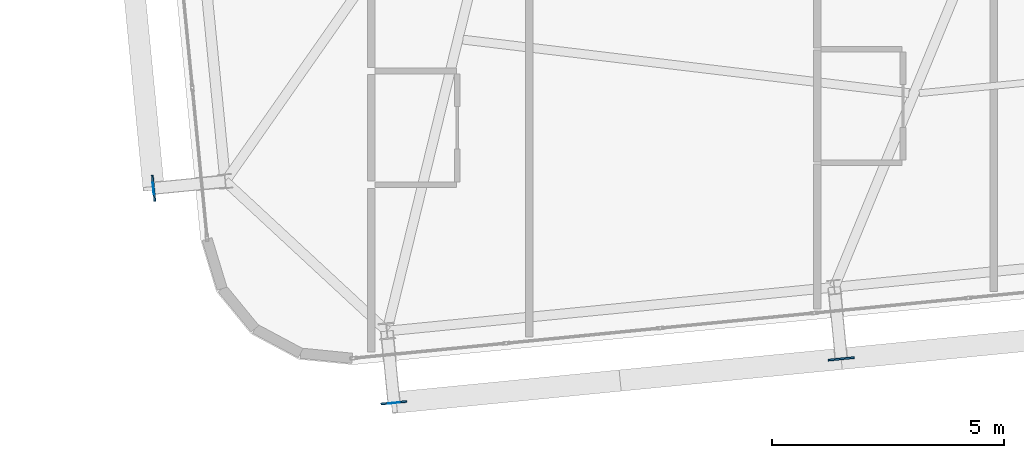
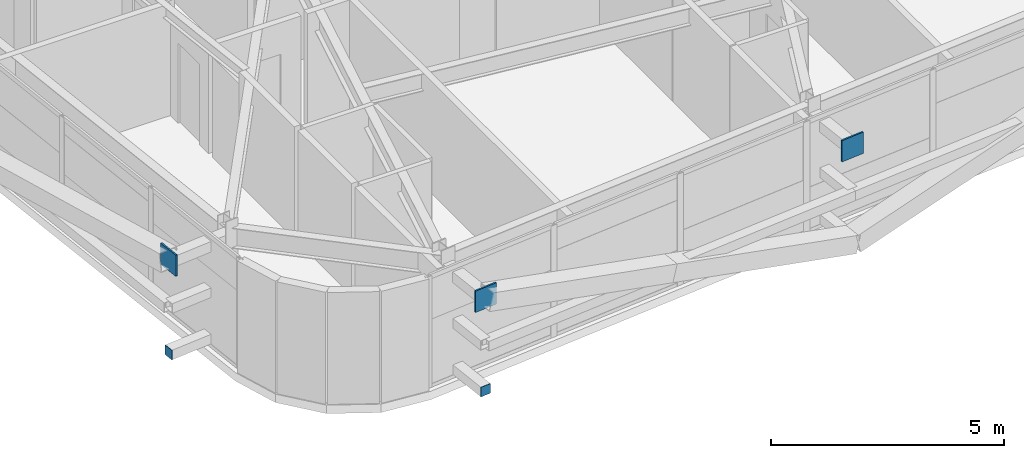
# One storey, part 38 of 53: 5 plates.
"""IFC4 building model written with IfcOpenShell, lengths in metres."""

from ifc_helpers import new_model, si_unit, direction, frame, origin, origin_2d, place, context, subcontext, project, spatial, rectangle, extrude, source, transform, mapped, material, layer, layer_set, type_object, element, save


model = new_model("IFC4")

# Units and contexts
model_context = context("Model", 3, precision=1e-05, world=origin(), true_north=direction((0.0, 1.0)))
body_context = subcontext(model_context, "Body", "Model", "MODEL_VIEW")
ifc_project = project(units=[si_unit("LENGTHUNIT", "METRE"), si_unit("AREAUNIT", "SQUARE_METRE"), si_unit("VOLUMEUNIT", "CUBIC_METRE"), si_unit("PLANEANGLEUNIT", "RADIAN"), si_unit("MASSUNIT", "GRAM", prefix="KILO")], contexts=[model_context])

# Site, building, storey
site_placement = place(None, origin())
site = spatial("IfcSite", under=ifc_project, at=site_placement, CompositionType="ELEMENT")
building_placement = place(site_placement, origin())
building = spatial("IfcBuilding", under=site, at=building_placement, Name="Taldren Reach Tower", CompositionType="ELEMENT")
storey_placement = place(building_placement, frame((0.0, 0.0, 84.0)))
storey = spatial("IfcBuildingStorey", under=building, at=storey_placement, Name="L25", CompositionType="ELEMENT", Elevation=84.0)

# Plates
ifc_material_1 = material(Name="Steel Gr 450 (C450L0)", Category="steel")
ifc_layer_1 = layer(ifc_material_1, 0.0400390625)
ifc_layer_set_1 = layer_set([ifc_layer_1], Name="Steel Gr 450 (C450L0)")
plate_type_1 = type_object("IfcPlateType", Name="PL-GUSSET-40", PredefinedType="SHEET", material=ifc_layer_set_1)
shared_shape_1 = source(origin(), body_context, "Body", "SweptSolid", [
    extrude(rectangle(XDim=0.56005859375, YDim=0.0400390625, at=origin_2d()), origin(), (0.0, 0.0, 1.0), 0.56005859375),
])
for number, where, z_axis, x_axis, name in (
    (1, (15.08544921875, -1.62255859375, 2.369873046875), (0.0, 0.0, 1.0), (0.995227399982, 0.097582899759, 0.0), "Exoskeleton star-node gusset plate B2-S1 L25"),
    (2, (24.71923828125, -0.677978515625, 2.369873046875), (0.0, 0.0, 1.0), (0.995227399982, 0.097582899759, 0.0), "Exoskeleton star-node gusset plate B2-S2 L25"),
    (3, (9.91015625, 2.99462890625, 2.369873046875), (0.0, 0.0, 1.0), (-0.097582899759, 0.995227399982, 0.0), "Exoskeleton star-node gusset plate B2-W1 L25"),
):
    element("IfcPlate", number, at=place(storey_placement, frame(where, z_axis=z_axis, x_axis=x_axis)), inside=storey, type_object=plate_type_1, Name=name, PredefinedType="SHEET", context=body_context, shape_type="MappedRepresentation", body=[
        mapped(shared_shape_1, transform((0.0, 0.0, 0.0), scale=1.0)),
    ])
ifc_material_2 = material(Name="Steel Gr 350 (C350L0)", Category="steel")
ifc_layer_2 = layer(ifc_material_2, 0.011962890625)
ifc_layer_set_2 = layer_set([ifc_layer_2], Name="Steel Gr 350 (C350L0)")
plate_type_2 = type_object("IfcPlateType", Name="PL-CAP-250", PredefinedType="SHEET", material=ifc_layer_set_2)
shared_shape_2 = source(origin(), body_context, "Body", "SweptSolid", [
    extrude(rectangle(XDim=0.25, YDim=0.011962890625, at=origin_2d()), origin(), (0.0, 0.0, 1.0), 0.25),
])
plate_1_placement = place(storey_placement, frame((15.0859375, -1.62841796875, 0.094970703125), z_axis=(0.0, 0.0, 1.0), x_axis=(0.995227399982, 0.097582899759, 0.0)))
element("IfcPlate", 4, at=plate_1_placement, inside=storey, type_object=plate_type_2, Name="Tie strut end cap plate B2-S1 L25", PredefinedType="SHEET", context=body_context, shape_type="MappedRepresentation", body=[
    mapped(shared_shape_2, transform((0.0, 0.0, 0.0), scale=1.0)),
])
shared_shape_3 = source(origin(), body_context, "Body", "SweptSolid", [
    extrude(rectangle(XDim=0.011962890625, YDim=0.25, at=origin_2d()), origin(), (0.0, 0.0, 1.0), 0.25),
])
plate_2_placement = place(storey_placement, frame((9.904296875, 2.993896484375, 0.094970703125), z_axis=(0.0, 0.0, 1.0), x_axis=(0.995227399982, 0.097582899759, 0.0)))
element("IfcPlate", 5, at=plate_2_placement, inside=storey, type_object=plate_type_2, Name="Tie strut end cap plate B2-W1 L25", PredefinedType="SHEET", context=body_context, shape_type="MappedRepresentation", body=[
    mapped(shared_shape_3, transform((0.0, 0.0, 0.0), scale=1.0)),
])

save(model, "model.ifc")
